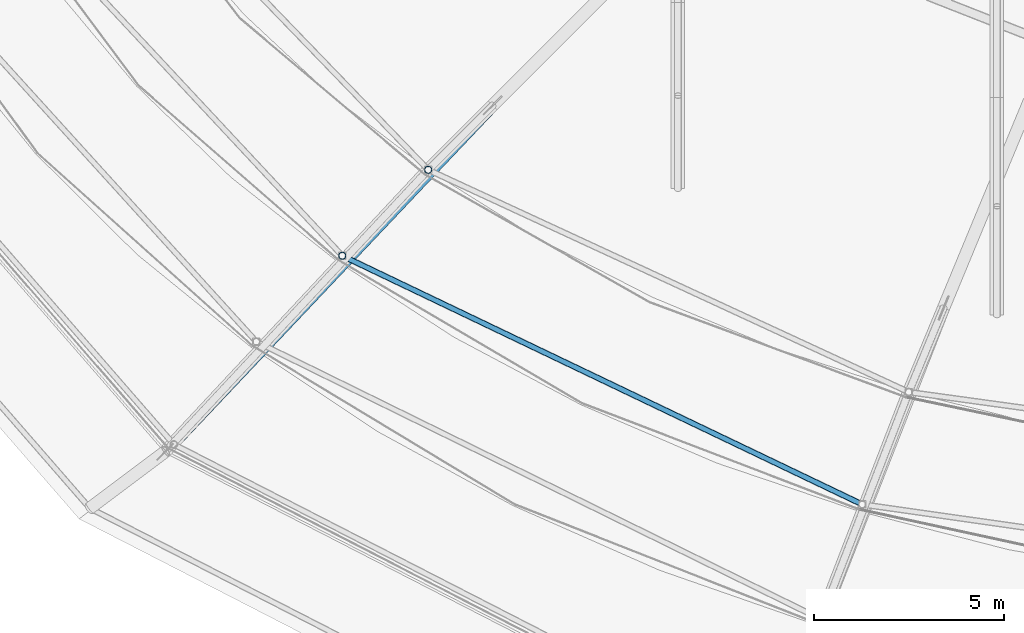
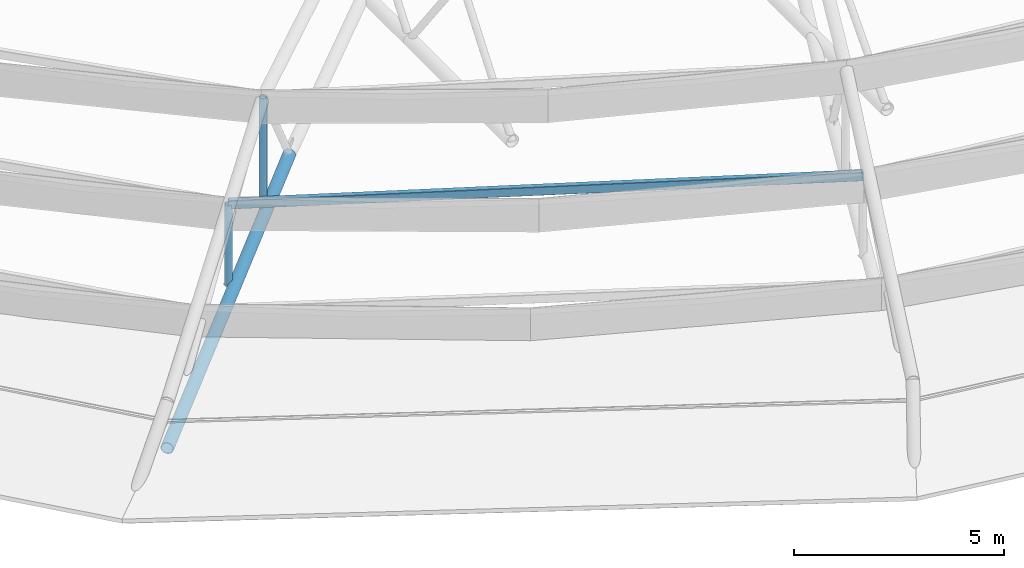
# One storey, part 8 of 134: 3 members, 1 beam.
"""IFC4 building model written with IfcOpenShell, lengths in metres."""

import ifcopenshell
import ifcopenshell.guid

model = None  # the IFC model being written
_history = None  # IfcOwnerHistory: only IFC2X3 demands one
_inside = {}  # id of a spatial element -> (the spatial element, [elements in it])
_under = {}  # id of a project, library or spatial element -> (it, [spatial elements below it])
_declared = {}  # id of a project -> (the project, [libraries it declares])
_typed = {}  # id of a type object -> (the type object, [elements of that type])
_made_of = {}  # id of a material, layer set ... -> (it, [elements and type objects made of it])


def new_model(schema):
    """Start an empty IFC model of exactly this schema.

    Asked for "IFC4X3", IfcOpenShell would pick the latest addendum, in which some entities
    have other attributes; the version numbers below select the first issue.
    IFC2X3 requires an IfcOwnerHistory on every rooted entity: one is made here for all.
    """
    global model, _history
    if schema == "IFC4X3":
        model = ifcopenshell.file(schema_version=(4, 3, 0, 0))
    else:
        model = ifcopenshell.file(schema=schema)
    _inside.clear()
    _under.clear()
    _declared.clear()
    _typed.clear()
    _made_of.clear()
    _history = None
    if model.schema == "IFC2X3":
        org = make("IfcOrganization", Name="unknown")
        user = make(
            "IfcPersonAndOrganization",
            ThePerson=make("IfcPerson", FamilyName="unknown"),
            TheOrganization=org,
        )
        app = make(
            "IfcApplication",
            ApplicationDeveloper=org,
            Version="unknown",
            ApplicationFullName="unknown",
            ApplicationIdentifier="unknown",
        )
        _history = make(
            "IfcOwnerHistory",
            OwningUser=user,
            OwningApplication=app,
            ChangeAction="ADDED",
            CreationDate=0,
        )
    return model


def make(cls, **values):
    """One entity of the class cls with the attributes given. An attribute that is None is left unset."""
    return model.create_entity(
        cls, **{name: value for name, value in values.items() if value is not None}
    )


def rooted(cls, **values):
    """An entity with a GlobalId (a new one), such as an element, a storey or a relation."""
    return make(cls, GlobalId=ifcopenshell.guid.new(), OwnerHistory=_history, **values)


def si_unit(unit_type, name, prefix=None):
    """IfcSIUnit, for example si_unit("LENGTHUNIT", "METRE", prefix="MILLI")."""
    return make("IfcSIUnit", UnitType=unit_type, Prefix=prefix, Name=name)


def derived_unit(unit_type, elements):
    """IfcDerivedUnit: a product of units, each with its exponent."""
    return make(
        "IfcDerivedUnit",
        Elements=[
            make("IfcDerivedUnitElement", Unit=unit, Exponent=power)
            for unit, power in elements
        ],
        UnitType=unit_type,
    )


def assignment(units):
    """IfcUnitAssignment: the units of a project."""
    return None if units is None else make("IfcUnitAssignment", Units=units)


def point(xyz):
    """IfcCartesianPoint."""
    return None if xyz is None else make("IfcCartesianPoint", Coordinates=xyz)


def direction(xyz):
    """IfcDirection."""
    return None if xyz is None else make("IfcDirection", DirectionRatios=xyz)


def frame(location, z_axis=None, x_axis=None):
    """IfcAxis2Placement3D, a coordinate frame: its origin and axes. An axis left out is left unset."""
    return make(
        "IfcAxis2Placement3D",
        Location=point(location),
        Axis=direction(z_axis),
        RefDirection=direction(x_axis),
    )


def frame_2d(location, x_axis=None):
    """IfcAxis2Placement2D, a coordinate frame in the plane: its origin and x axis."""
    return make(
        "IfcAxis2Placement2D", Location=point(location), RefDirection=direction(x_axis)
    )


def origin():
    """The frame at (0, 0, 0) with its axes left unset."""
    return frame((0.0, 0.0, 0.0))


def origin_2d():
    """The frame at (0, 0) in the plane with its x axis left unset."""
    return frame_2d((0.0, 0.0))


def place(relative_to, where):
    """IfcLocalPlacement: puts the frame where relative to a parent placement (None: the world)."""
    return make(
        "IfcLocalPlacement", PlacementRelTo=relative_to, RelativePlacement=where
    )


def context(
    kind, dimensions, precision=None, world=None, true_north=None, identifier=None
):
    """IfcGeometricRepresentationContext, for example the 3D "Model" context."""
    return make(
        "IfcGeometricRepresentationContext",
        ContextIdentifier=identifier,
        ContextType=kind,
        CoordinateSpaceDimension=dimensions,
        Precision=precision,
        WorldCoordinateSystem=world,
        TrueNorth=true_north,
    )


def subcontext(parent, identifier, kind, view, scale=None):
    """IfcGeometricRepresentationSubContext, for example "Body" below "Model"."""
    return make(
        "IfcGeometricRepresentationSubContext",
        ContextIdentifier=identifier,
        ContextType=kind,
        ParentContext=parent,
        TargetScale=scale,
        TargetView=view,
    )


def project(units=None, contexts=None):
    """IfcProject with its units and contexts."""
    return rooted(
        "IfcProject",
        Name="project",
        RepresentationContexts=contexts,
        UnitsInContext=assignment(units),
    )


def spatial(cls, under=None, at=None, **own):
    """A site, building, storey or space (cls), placed at a placement, below another one or the project."""
    s = rooted(cls, ObjectPlacement=at, **own)
    if under is not None:
        _under.setdefault(under.id(), (under, []))[1].append(s)
    return s


def profile(cls, at=None, kind="AREA", **sizes):
    """A parametric profile (cls). Its sizes go by their IFC names, for example OverallWidth=200.0."""
    return make(cls, ProfileType=kind, Position=at, **sizes)


def hollow_rectangle(**sizes):
    """IfcRectangleHollowProfileDef."""
    return profile("IfcRectangleHollowProfileDef", **sizes)


def hollow_circle(**sizes):
    """IfcCircleHollowProfileDef."""
    return profile("IfcCircleHollowProfileDef", **sizes)


def extrude(swept, where, along, depth):
    """IfcExtrudedAreaSolid: the profile swept, set in the frame where, extruded along a direction by depth."""
    return make(
        "IfcExtrudedAreaSolid",
        SweptArea=swept,
        Position=where,
        ExtrudedDirection=direction(along),
        Depth=depth,
    )


def shape(context_of_items, identifier, shape_type, items):
    """IfcShapeRepresentation: the items that make up one representation, for example the "Body"."""
    return make(
        "IfcShapeRepresentation",
        ContextOfItems=context_of_items,
        RepresentationIdentifier=identifier,
        RepresentationType=shape_type,
        Items=items,
    )


def material(Name=None, Category=None):
    """IfcMaterial."""
    return make("IfcMaterial", Name=Name, Category=Category)


def material_profile(
    of_material, cross_section, Name=None, Category=None, Priority=None
):
    """IfcMaterialProfile: a cross section and its material."""
    return make(
        "IfcMaterialProfile",
        Name=Name,
        Material=of_material,
        Profile=cross_section,
        Priority=Priority,
        Category=Category,
    )


def profile_set(profiles, Name=None, composite=None):
    """IfcMaterialProfileSet."""
    return make(
        "IfcMaterialProfileSet",
        Name=Name,
        MaterialProfiles=profiles,
        CompositeProfile=composite,
    )


def made_of(thing, what):
    """Note that an element or type object is made of a material, layer set ...; save() writes the relation."""
    if what is not None:
        _made_of.setdefault(what.id(), (what, []))[1].append(thing)
    return thing


def type_object(cls, material=None, **own):
    """A type object (cls), such as IfcWallType, which elements share."""
    return made_of(rooted(cls, **own), material)


def element(
    cls,
    number,
    at=None,
    inside=None,
    cuts=None,
    type_object=None,
    material=None,
    context=None,
    identifier="Body",
    shape_type=None,
    held_by="IfcProductDefinitionShape",
    body=None,
    shapes=None,
    **own,
):
    """One element of the class cls, such as IfcWall. Its Tag is "e" and its number.

    at: its placement. inside: the storey or other place that contains it. cuts: it is an
    opening in that element (IfcRelVoidsElement). A single representation is given by context,
    identifier, shape_type and body (its items); several are given by shapes. held_by: the class
    of the entity that holds the representations. save() writes the other relations.
    """
    e = rooted(cls, Tag="e%d" % number, ObjectPlacement=at, **own)
    if body is not None:
        shapes = [shape(context, identifier, shape_type, body)]
    if shapes is not None:
        e.Representation = make(held_by, Representations=shapes)
    if inside is not None:
        _inside.setdefault(inside.id(), (inside, []))[1].append(e)
    if cuts is not None:
        rooted(
            "IfcRelVoidsElement", RelatingBuildingElement=cuts, RelatedOpeningElement=e
        )
    if type_object is not None:
        _typed.setdefault(type_object.id(), (type_object, []))[1].append(e)
    return made_of(e, material)


def aggregate(whole, parts):
    """IfcRelAggregates: a whole, such as a stair, and the parts it consists of."""
    return rooted("IfcRelAggregates", RelatingObject=whole, RelatedObjects=parts)


def save(model, path):
    """Write the relations noted so far, then the file.

    IfcRelAggregates (storeys below a building ...), IfcRelContainedInSpatialStructure (elements
    in a storey), IfcRelDefinesByType, IfcRelAssociatesMaterial and IfcRelDeclares: one each for
    every whole, place, type object, material and project.
    """
    for whole, parts in _under.values():
        aggregate(whole, parts)
    for where, things in _inside.values():
        rooted(
            "IfcRelContainedInSpatialStructure",
            RelatedElements=things,
            RelatingStructure=where,
        )
    for kind, things in _typed.values():
        rooted("IfcRelDefinesByType", RelatedObjects=things, RelatingType=kind)
    for what, things in _made_of.values():
        rooted("IfcRelAssociatesMaterial", RelatedObjects=things, RelatingMaterial=what)
    for by, libraries in _declared.values():
        rooted("IfcRelDeclares", RelatingContext=by, RelatedDefinitions=libraries)
    model.write(path)


model = new_model("IFC4")

# Units and contexts
model_context = context("Model", 3, precision=1e-05, world=origin(), true_north=direction((0.0, 1.0)))
body_context = subcontext(model_context, "Body", "Model", "MODEL_VIEW")
ifc_project = project(units=[si_unit("LENGTHUNIT", "METRE"), si_unit("AREAUNIT", "SQUARE_METRE"), si_unit("VOLUMEUNIT", "CUBIC_METRE"), si_unit("PLANEANGLEUNIT", "RADIAN"), si_unit("MASSUNIT", "GRAM", prefix="KILO"), derived_unit("THERMALTRANSMITTANCEUNIT", [(si_unit("MASSUNIT", "GRAM", prefix="KILO"), 1), (si_unit("TIMEUNIT", "SECOND"), -3), (si_unit("THERMODYNAMICTEMPERATUREUNIT", "KELVIN"), -1)])], contexts=[model_context])

# Site, building, storey
site_placement = place(None, origin())
site = spatial("IfcSite", under=ifc_project, at=site_placement, CompositionType="ELEMENT")
building_placement = place(site_placement, origin())
building = spatial("IfcBuilding", under=site, at=building_placement, Name="Kharveza Railside Sports Centre", CompositionType="ELEMENT")
storey_placement = place(building_placement, frame((0.0, 0.0, 12.89990234375)))
storey = spatial("IfcBuildingStorey", under=building, at=storey_placement, Name="L03", CompositionType="ELEMENT", Elevation=12.89990234375)

# Beam
ifc_material = material(Name="Steel S355J2", Category="steel")
ifc_material_profile_1 = material_profile(ifc_material, hollow_rectangle(XDim=0.14990234375, YDim=0.25, WallThickness=0.010009765625, InnerFilletRadius=0.010009765625, OuterFilletRadius=0.02001953125, at=origin_2d()), Name="RHS 150x250x10.0")
ifc_profile_set_1 = profile_set([ifc_material_profile_1], Name="Steel S355J2")
beam_type = type_object("IfcBeamType", Name="BM-SP04", PredefinedType="SPANDREL", material=ifc_profile_set_1)
beam_placement = place(storey_placement, frame((24.760009765625, 29.04541015625, 2.30517578125), z_axis=(0.902161989983, -0.431397431414, 0.0), x_axis=(0.431397431414, 0.902161989983, 0.0)))
element("IfcBeam", 1, at=beam_placement, inside=storey, type_object=beam_type, Name="BM-LIDRING-S3-11", PredefinedType="SPANDREL", context=body_context, shape_type="SweptSolid", body=[
    extrude(hollow_rectangle(XDim=0.14990234375, YDim=0.25, WallThickness=0.010009765625, InnerFilletRadius=0.010009765625, OuterFilletRadius=0.02001953125, at=origin_2d()), origin(), (0.0, 0.0, 1.0), 15.17529296875),
])

# Members
ifc_material_profile_2 = material_profile(ifc_material, hollow_circle(Radius=0.161865234375, WallThickness=0.01611328125, at=origin_2d()), Name="CHS 323.9x16.0")
ifc_profile_set_2 = profile_set([ifc_material_profile_2], Name="Steel S355J2")
member_type_1 = type_object("IfcMemberType", Name="MB-CH02", PredefinedType="CHORD", material=ifc_profile_set_2)
member_1_placement = place(storey_placement, frame((28.719970703125, 33.005126953125, -0.0498046875), z_axis=(-0.687123572984, -0.726540566968, 0.0), x_axis=(0.726540566968, -0.687123572984, 0.0)))
element("IfcMember", 2, at=member_1_placement, inside=storey, type_object=member_type_1, Name="MB-OUT-BC2-11", PredefinedType="CHORD", context=body_context, shape_type="SweptSolid", body=[
    extrude(hollow_circle(Radius=0.161865234375, WallThickness=0.01611328125, at=origin_2d()), origin(), (0.0, 0.0, 1.0), 12.554931640625),
])
ifc_material_profile_3 = material_profile(ifc_material, hollow_circle(Radius=0.096923828125, WallThickness=0.010009765625, at=origin_2d()), Name="CHS 193.7x10.0")
ifc_profile_set_3 = profile_set([ifc_material_profile_3], Name="Steel S355J2")
member_type_2 = type_object("IfcMemberType", Name="MB-ST02", PredefinedType="STRUT", material=ifc_profile_set_3)
member_2_placement = place(storey_placement, frame((24.760009765625, 29.04541015625, -0.0498046875), z_axis=(0.0, 0.0, 1.0), x_axis=(1.0, 0.0, 0.0)))
element("IfcMember", 3, at=member_2_placement, inside=storey, type_object=member_type_2, Name="MB-LIDPOST-S3-11", PredefinedType="STRUT", context=body_context, shape_type="SweptSolid", body=[
    extrude(hollow_circle(Radius=0.096923828125, WallThickness=0.010009765625, at=origin_2d()), origin(), (0.0, 0.0, 1.0), 2.35498046875),
])
member_3_placement = place(storey_placement, frame((27.02294921875, 31.30810546875, -0.0498046875), z_axis=(0.0, 0.0, 1.0), x_axis=(1.0, 0.0, 0.0)))
element("IfcMember", 4, at=member_3_placement, inside=storey, type_object=member_type_2, Name="MB-LIDPOST-S4-11", PredefinedType="STRUT", context=body_context, shape_type="SweptSolid", body=[
    extrude(hollow_circle(Radius=0.096923828125, WallThickness=0.010009765625, at=origin_2d()), origin(), (0.0, 0.0, 1.0), 3.304931640625),
])

save(model, "model.ifc")
